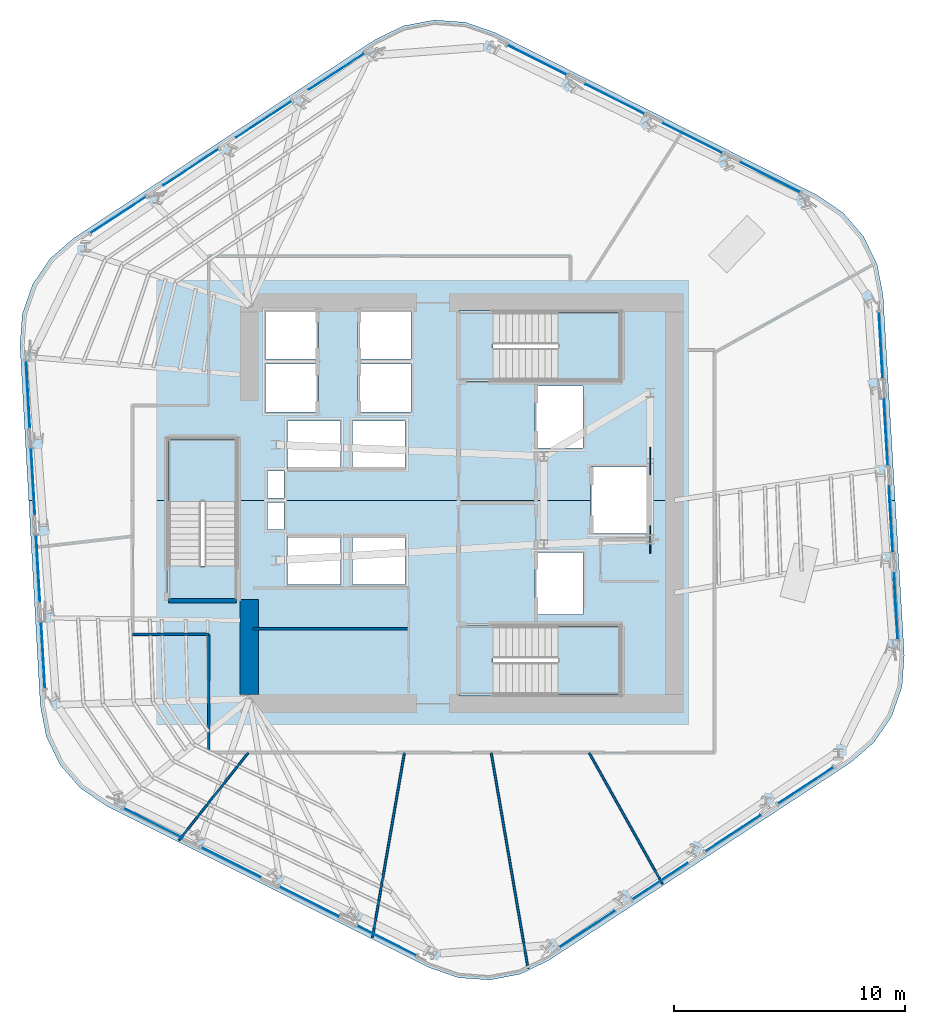
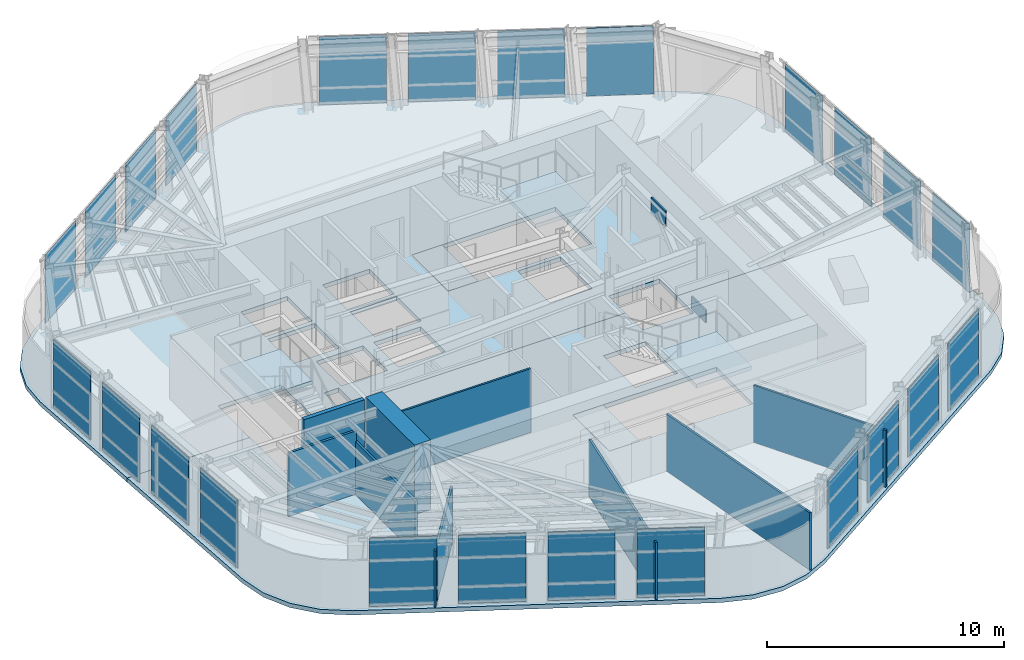
# One storey, part 7 of 15: 26 plates, 9 walls, 8 slabs, 9 elements without a shape of their own.
"""IFC4 building model written with IfcOpenShell, lengths in metres."""

from ifc_helpers import new_model, si_unit, direction, frame, frame_2d, origin, origin_2d, place, context, subcontext, project, spatial, polyline, rectangle, outline, extrude, material, layer, layer_set, type_object, element, aggregate, save


model = new_model("IFC4")

# Units and contexts
model_context = context("Model", 3, precision=1e-05, world=origin(), true_north=direction((0.0, 1.0)))
body_context = subcontext(model_context, "Body", "Model", "MODEL_VIEW")
ifc_project = project(units=[si_unit("LENGTHUNIT", "METRE"), si_unit("AREAUNIT", "SQUARE_METRE"), si_unit("VOLUMEUNIT", "CUBIC_METRE"), si_unit("PLANEANGLEUNIT", "RADIAN"), si_unit("MASSUNIT", "GRAM", prefix="KILO")], contexts=[model_context])

# Site, building, storey
site_placement = place(None, origin())
site = spatial("IfcSite", under=ifc_project, at=site_placement, CompositionType="ELEMENT")
building_placement = place(site_placement, origin())
building = spatial("IfcBuilding", under=site, at=building_placement, Name="Valkerne Bourse Tower", CompositionType="ELEMENT")
storey_placement = place(building_placement, frame((0.0, 0.0, 166.60009765625)))
storey = spatial("IfcBuildingStorey", under=building, at=storey_placement, Name="L42", CompositionType="ELEMENT", Elevation=166.60009765625)

# Curtain wall, plates
ifc_material_1 = material(Name="Aluminium AA 6063-T6", Category="aluminium")
ifc_layer_1 = layer(ifc_material_1, 0.235107421875)
ifc_layer_set_1 = layer_set([ifc_layer_1], Name="Aluminium AA 6063-T6")
curtain_wall_type = type_object("IfcCurtainWallType", Name="CW-03", PredefinedType="NOTDEFINED", material=ifc_layer_set_1)
curtain_wall_1_placement = place(storey_placement, origin())
curtain_wall_1 = element("IfcCurtainWall", 1, at=curtain_wall_1_placement, inside=storey, type_object=curtain_wall_type, Name="L42 Hexagonal Stick Curtain Wall Face 1", PredefinedType="NOTDEFINED")
ifc_material_2 = material(Name="Glass IGU Low-E Double Glazed", Category="glass")
ifc_layer_2 = layer(ifc_material_2, 0.031982421875)
ifc_layer_set_2 = layer_set([ifc_layer_2], Name="Glass IGU Low-E Double Glazed")
plate_type_1 = type_object("IfcPlateType", Name="CW-PNL-IGU-32", PredefinedType="CURTAIN_PANEL", material=ifc_layer_set_2)
plate_1_placement = place(storey_placement, frame((60.158203125, 40.970703125, 0.02978515625), z_axis=(0.0, 0.0, 1.0), x_axis=(-0.893369278637, 0.449323193244, 0.0)))
plate_1 = element("IfcPlate", 2, at=plate_1_placement, type_object=plate_type_1, Name="CW-L42-F1 Curtain Panel 00", PredefinedType="CURTAIN_PANEL", context=body_context, shape_type="SweptSolid", body=[
    extrude(rectangle(XDim=2.85107421875, YDim=0.031982421875, at=origin_2d()), origin(), (0.0, 0.0, 1.0), 3.52001953125),
])
plate_2_placement = place(storey_placement, frame((56.789306640625, 42.665283203125, 0.02978515625), z_axis=(0.0, 0.0, 1.0), x_axis=(-0.893379923198, 0.449302028514, 0.0)))
plate_2 = element("IfcPlate", 3, at=plate_2_placement, type_object=plate_type_1, Name="CW-L42-F1 Curtain Panel 01", PredefinedType="CURTAIN_PANEL", context=body_context, shape_type="SweptSolid", body=[
    extrude(rectangle(XDim=2.850830078125, YDim=0.031982421875, at=origin_2d()), origin(), (0.0, 0.0, 1.0), 3.52001953125),
])
plate_3_placement = place(storey_placement, frame((53.42041015625, 44.359619140625, 0.02978515625), z_axis=(0.0, 0.0, 1.0), x_axis=(-0.893369278637, 0.449323193244, 0.0)))
plate_3 = element("IfcPlate", 4, at=plate_3_placement, type_object=plate_type_1, Name="CW-L42-F1 Curtain Panel 02", PredefinedType="CURTAIN_PANEL", context=body_context, shape_type="SweptSolid", body=[
    extrude(rectangle(XDim=2.85107421875, YDim=0.031982421875, at=origin_2d()), origin(), (0.0, 0.0, 1.0), 3.52001953125),
])
plate_4_placement = place(storey_placement, frame((50.051513671875, 46.053955078125, 0.02978515625), z_axis=(0.0, 0.0, 1.0), x_axis=(-0.893369278637, 0.449323193244, 0.0)))
plate_4 = element("IfcPlate", 5, at=plate_4_placement, type_object=plate_type_1, Name="CW-L42-F1 Curtain Panel 03", PredefinedType="CURTAIN_PANEL", context=body_context, shape_type="SweptSolid", body=[
    extrude(rectangle(XDim=2.85107421875, YDim=0.031982421875, at=origin_2d()), origin(), (0.0, 0.0, 1.0), 3.52001953125),
])
aggregate(curtain_wall_1, [plate_1, plate_2, plate_3, plate_4])

curtain_wall_2_placement = place(storey_placement, origin())
curtain_wall_2 = element("IfcCurtainWall", 6, at=curtain_wall_2_placement, inside=storey, type_object=curtain_wall_type, Name="L42 Hexagonal Stick Curtain Wall Face 2", PredefinedType="NOTDEFINED")
plate_5_placement = place(storey_placement, frame((41.3798828125, 45.553955078125, 0.02978515625), z_axis=(0.0, 0.0, 1.0), x_axis=(-0.835800745182, -0.549032890048, 0.0)))
plate_5 = element("IfcPlate", 7, at=plate_5_placement, type_object=plate_type_1, Name="CW-L42-F2 Curtain Panel 00", PredefinedType="CURTAIN_PANEL", context=body_context, shape_type="SweptSolid", body=[
    extrude(rectangle(XDim=2.85107421875, YDim=0.031982421875, at=origin_2d()), origin(), (0.0, 0.0, 1.0), 3.52001953125),
])
plate_6_placement = place(storey_placement, frame((38.228271484375, 43.483642578125, 0.02978515625), z_axis=(0.0, 0.0, 1.0), x_axis=(-0.835800745182, -0.549032890048, 0.0)))
plate_6 = element("IfcPlate", 8, at=plate_6_placement, type_object=plate_type_1, Name="CW-L42-F2 Curtain Panel 01", PredefinedType="CURTAIN_PANEL", context=body_context, shape_type="SweptSolid", body=[
    extrude(rectangle(XDim=2.85107421875, YDim=0.031982421875, at=origin_2d()), origin(), (0.0, 0.0, 1.0), 3.52001953125),
])
plate_7_placement = place(storey_placement, frame((35.076416015625, 41.4130859375, 0.02978515625), z_axis=(0.0, 0.0, 1.0), x_axis=(-0.835820906773, -0.549002196536, 0.0)))
plate_7 = element("IfcPlate", 9, at=plate_7_placement, type_object=plate_type_1, Name="CW-L42-F2 Curtain Panel 02", PredefinedType="CURTAIN_PANEL", context=body_context, shape_type="SweptSolid", body=[
    extrude(rectangle(XDim=2.85107421875, YDim=0.031982421875, at=origin_2d()), origin(), (0.0, 0.0, 1.0), 3.52001953125),
])
plate_8_placement = place(storey_placement, frame((31.924560546875, 39.343017578125, 0.02978515625), z_axis=(0.0, 0.0, 1.0), x_axis=(-0.835800745182, -0.549032890048, 0.0)))
plate_8 = element("IfcPlate", 10, at=plate_8_placement, type_object=plate_type_1, Name="CW-L42-F2 Curtain Panel 03", PredefinedType="CURTAIN_PANEL", context=body_context, shape_type="SweptSolid", body=[
    extrude(rectangle(XDim=2.85107421875, YDim=0.031982421875, at=origin_2d()), origin(), (0.0, 0.0, 1.0), 3.52001953125),
])
aggregate(curtain_wall_2, [plate_5, plate_6, plate_7, plate_8])

curtain_wall_3_placement = place(storey_placement, origin())
curtain_wall_3 = element("IfcCurtainWall", 11, at=curtain_wall_3_placement, inside=storey, type_object=curtain_wall_type, Name="L42 Hexagonal Stick Curtain Wall Face 3", PredefinedType="NOTDEFINED")
plate_9_placement = place(storey_placement, frame((28.021728515625, 31.5830078125, 0.02978515625), z_axis=(0.0, 0.0, 1.0), x_axis=(0.057570105269, -0.998341466122, 0.0)))
plate_9 = element("IfcPlate", 12, at=plate_9_placement, type_object=plate_type_1, Name="CW-L42-F3 Curtain Panel 00", PredefinedType="CURTAIN_PANEL", context=body_context, shape_type="SweptSolid", body=[
    extrude(rectangle(XDim=2.85107421875, YDim=0.031982421875, at=origin_2d()), origin(), (0.0, 0.0, 1.0), 3.52001953125),
])
plate_10_placement = place(storey_placement, frame((28.239013671875, 27.818359375, 0.02978515625), z_axis=(0.0, 0.0, 1.0), x_axis=(0.057571629412, -0.99834137823, 0.0)))
plate_10 = element("IfcPlate", 13, at=plate_10_placement, type_object=plate_type_1, Name="CW-L42-F3 Curtain Panel 01", PredefinedType="CURTAIN_PANEL", context=body_context, shape_type="SweptSolid", body=[
    extrude(rectangle(XDim=2.85107421875, YDim=0.031982421875, at=origin_2d()), origin(), (0.0, 0.0, 1.0), 3.52001953125),
])
plate_11_placement = place(storey_placement, frame((28.4560546875, 24.0537109375, 0.02978515625), z_axis=(0.0, 0.0, 1.0), x_axis=(0.057545198752, -0.998342902063, 0.0)))
plate_11 = element("IfcPlate", 14, at=plate_11_placement, type_object=plate_type_1, Name="CW-L42-F3 Curtain Panel 02", PredefinedType="CURTAIN_PANEL", context=body_context, shape_type="SweptSolid", body=[
    extrude(rectangle(XDim=2.85107421875, YDim=0.031982421875, at=origin_2d()), origin(), (0.0, 0.0, 1.0), 3.52001953125),
])
plate_12_placement = place(storey_placement, frame((28.673095703125, 20.288818359375, 0.02978515625), z_axis=(0.0, 0.0, 1.0), x_axis=(0.057570105269, -0.998341466122, 0.0)))
plate_12 = element("IfcPlate", 15, at=plate_12_placement, type_object=plate_type_1, Name="CW-L42-F3 Curtain Panel 03", PredefinedType="CURTAIN_PANEL", context=body_context, shape_type="SweptSolid", body=[
    extrude(rectangle(XDim=2.85107421875, YDim=0.031982421875, at=origin_2d()), origin(), (0.0, 0.0, 1.0), 3.52001953125),
])
aggregate(curtain_wall_3, [plate_9, plate_10, plate_11, plate_12])

curtain_wall_4_placement = place(storey_placement, origin())
curtain_wall_4 = element("IfcCurtainWall", 16, at=curtain_wall_4_placement, inside=storey, type_object=curtain_wall_type, Name="L42 Hexagonal Stick Curtain Wall Face 4", PredefinedType="NOTDEFINED")
plate_13_placement = place(storey_placement, frame((33.441650390625, 13.029052734375, 0.02978515625), z_axis=(0.0, 0.0, 1.0), x_axis=(0.893369278637, -0.449323193244, 0.0)))
plate_13 = element("IfcPlate", 17, at=plate_13_placement, type_object=plate_type_1, Name="CW-L42-F4 Curtain Panel 00", PredefinedType="CURTAIN_PANEL", context=body_context, shape_type="SweptSolid", body=[
    extrude(rectangle(XDim=2.85107421875, YDim=0.031982421875, at=origin_2d()), origin(), (0.0, 0.0, 1.0), 3.52001953125),
])
plate_14_placement = place(storey_placement, frame((36.810791015625, 11.334716796875, 0.02978515625), z_axis=(0.0, 0.0, 1.0), x_axis=(0.893379923198, -0.449302028514, 0.0)))
plate_14 = element("IfcPlate", 18, at=plate_14_placement, type_object=plate_type_1, Name="CW-L42-F4 Curtain Panel 01", PredefinedType="CURTAIN_PANEL", context=body_context, shape_type="SweptSolid", body=[
    extrude(rectangle(XDim=2.850830078125, YDim=0.031982421875, at=origin_2d()), origin(), (0.0, 0.0, 1.0), 3.52001953125),
])
plate_15_placement = place(storey_placement, frame((40.179443359375, 9.640380859375, 0.02978515625), z_axis=(0.0, 0.0, 1.0), x_axis=(0.893369278637, -0.449323193244, 0.0)))
plate_15 = element("IfcPlate", 19, at=plate_15_placement, type_object=plate_type_1, Name="CW-L42-F4 Curtain Panel 02", PredefinedType="CURTAIN_PANEL", context=body_context, shape_type="SweptSolid", body=[
    extrude(rectangle(XDim=2.85107421875, YDim=0.031982421875, at=origin_2d()), origin(), (0.0, 0.0, 1.0), 3.52001953125),
])
plate_16_placement = place(storey_placement, frame((43.548583984375, 7.946044921875, 0.02978515625), z_axis=(0.0, 0.0, 1.0), x_axis=(0.893369278637, -0.449323193244, 0.0)))
plate_16 = element("IfcPlate", 20, at=plate_16_placement, type_object=plate_type_1, Name="CW-L42-F4 Curtain Panel 03", PredefinedType="CURTAIN_PANEL", context=body_context, shape_type="SweptSolid", body=[
    extrude(rectangle(XDim=2.85107421875, YDim=0.031982421875, at=origin_2d()), origin(), (0.0, 0.0, 1.0), 3.52001953125),
])
aggregate(curtain_wall_4, [plate_13, plate_14, plate_15, plate_16])

curtain_wall_5_placement = place(storey_placement, origin())
curtain_wall_5 = element("IfcCurtainWall", 21, at=curtain_wall_5_placement, inside=storey, type_object=curtain_wall_type, Name="L42 Hexagonal Stick Curtain Wall Face 5", PredefinedType="NOTDEFINED")
plate_17_placement = place(storey_placement, frame((52.219970703125, 8.446044921875, 0.02978515625), z_axis=(0.0, 0.0, 1.0), x_axis=(0.835800745182, 0.549032890048, 0.0)))
plate_17 = element("IfcPlate", 22, at=plate_17_placement, type_object=plate_type_1, Name="CW-L42-F5 Curtain Panel 00", PredefinedType="CURTAIN_PANEL", context=body_context, shape_type="SweptSolid", body=[
    extrude(rectangle(XDim=2.85107421875, YDim=0.031982421875, at=origin_2d()), origin(), (0.0, 0.0, 1.0), 3.52001953125),
])
plate_18_placement = place(storey_placement, frame((55.371826171875, 10.516357421875, 0.02978515625), z_axis=(0.0, 0.0, 1.0), x_axis=(0.835800745182, 0.549032890048, 0.0)))
plate_18 = element("IfcPlate", 23, at=plate_18_placement, type_object=plate_type_1, Name="CW-L42-F5 Curtain Panel 01", PredefinedType="CURTAIN_PANEL", context=body_context, shape_type="SweptSolid", body=[
    extrude(rectangle(XDim=2.85107421875, YDim=0.031982421875, at=origin_2d()), origin(), (0.0, 0.0, 1.0), 3.52001953125),
])
plate_19_placement = place(storey_placement, frame((58.523681640625, 12.586669921875, 0.02978515625), z_axis=(0.0, 0.0, 1.0), x_axis=(0.835820906773, 0.549002196536, 0.0)))
plate_19 = element("IfcPlate", 24, at=plate_19_placement, type_object=plate_type_1, Name="CW-L42-F5 Curtain Panel 02", PredefinedType="CURTAIN_PANEL", context=body_context, shape_type="SweptSolid", body=[
    extrude(rectangle(XDim=2.85107421875, YDim=0.031982421875, at=origin_2d()), origin(), (0.0, 0.0, 1.0), 3.52001953125),
])
plate_20_placement = place(storey_placement, frame((61.67529296875, 14.656982421875, 0.02978515625), z_axis=(0.0, 0.0, 1.0), x_axis=(0.835800745182, 0.549032890048, 0.0)))
plate_20 = element("IfcPlate", 25, at=plate_20_placement, type_object=plate_type_1, Name="CW-L42-F5 Curtain Panel 03", PredefinedType="CURTAIN_PANEL", context=body_context, shape_type="SweptSolid", body=[
    extrude(rectangle(XDim=2.85107421875, YDim=0.031982421875, at=origin_2d()), origin(), (0.0, 0.0, 1.0), 3.52001953125),
])
aggregate(curtain_wall_5, [plate_17, plate_18, plate_19, plate_20])

curtain_wall_6_placement = place(storey_placement, origin())
curtain_wall_6 = element("IfcCurtainWall", 26, at=curtain_wall_6_placement, inside=storey, type_object=curtain_wall_type, Name="L42 Hexagonal Stick Curtain Wall Face 6", PredefinedType="NOTDEFINED")
plate_21_placement = place(storey_placement, frame((65.578125, 22.4169921875, 0.02978515625), z_axis=(0.0, 0.0, 1.0), x_axis=(-0.057570105269, 0.998341466122, 0.0)))
plate_21 = element("IfcPlate", 27, at=plate_21_placement, type_object=plate_type_1, Name="CW-L42-F6 Curtain Panel 00", PredefinedType="CURTAIN_PANEL", context=body_context, shape_type="SweptSolid", body=[
    extrude(rectangle(XDim=2.85107421875, YDim=0.031982421875, at=origin_2d()), origin(), (0.0, 0.0, 1.0), 3.52001953125),
])
plate_22_placement = place(storey_placement, frame((65.361083984375, 26.181640625, 0.02978515625), z_axis=(0.0, 0.0, 1.0), x_axis=(-0.057571629412, 0.99834137823, 0.0)))
plate_22 = element("IfcPlate", 28, at=plate_22_placement, type_object=plate_type_1, Name="CW-L42-F6 Curtain Panel 01", PredefinedType="CURTAIN_PANEL", context=body_context, shape_type="SweptSolid", body=[
    extrude(rectangle(XDim=2.85107421875, YDim=0.031982421875, at=origin_2d()), origin(), (0.0, 0.0, 1.0), 3.52001953125),
])
plate_23_placement = place(storey_placement, frame((65.14404296875, 29.9462890625, 0.02978515625), z_axis=(0.0, 0.0, 1.0), x_axis=(-0.057545198752, 0.998342902063, 0.0)))
plate_23 = element("IfcPlate", 29, at=plate_23_placement, type_object=plate_type_1, Name="CW-L42-F6 Curtain Panel 02", PredefinedType="CURTAIN_PANEL", context=body_context, shape_type="SweptSolid", body=[
    extrude(rectangle(XDim=2.85107421875, YDim=0.031982421875, at=origin_2d()), origin(), (0.0, 0.0, 1.0), 3.52001953125),
])
plate_24_placement = place(storey_placement, frame((64.927001953125, 33.711181640625, 0.02978515625), z_axis=(0.0, 0.0, 1.0), x_axis=(-0.057570105269, 0.998341466122, 0.0)))
plate_24 = element("IfcPlate", 30, at=plate_24_placement, type_object=plate_type_1, Name="CW-L42-F6 Curtain Panel 03", PredefinedType="CURTAIN_PANEL", context=body_context, shape_type="SweptSolid", body=[
    extrude(rectangle(XDim=2.85107421875, YDim=0.031982421875, at=origin_2d()), origin(), (0.0, 0.0, 1.0), 3.52001953125),
])
aggregate(curtain_wall_6, [plate_21, plate_22, plate_23, plate_24])

# Plates
ifc_material_3 = material(Name="Steel ASTM A572 Grade 50", Category="steel")
ifc_layer_3 = layer(ifc_material_3, 0.06005859375)
ifc_layer_set_3 = layer_set([ifc_layer_3], Name="Steel ASTM A572 Grade 50")
plate_type_2 = type_object("IfcPlateType", Name="PLT-GUS-60", PredefinedType="SHEET", material=ifc_layer_set_3)
for number, where, z_axis, x_axis, name in (
    (31, (54.949951171875, 25.300048828125, -0.18017578125), (0.0, 0.0, 1.0), (0.0, 1.0, 0.0), "L42 Brace Node Gusset Plate PLT-GUS-END-L42-400"),
    (32, (54.949951171875, 28.699951171875, 2.8740234375), (0.0, 0.0, 1.0), (0.0, 1.0, 0.0), "L42 Brace Node Gusset Plate PLT-GUS-END-L42-401"),
):
    element("IfcPlate", number, at=place(storey_placement, frame(where, z_axis=z_axis, x_axis=x_axis)), inside=storey, type_object=plate_type_2, Name=name, PredefinedType="SHEET", context=body_context, shape_type="SweptSolid", body=[
        extrude(rectangle(XDim=1.199951171875, YDim=0.06005859375, at=origin_2d()), origin(), (0.0, 0.0, 1.0), 0.800048828125),
    ])

# Slabs
ifc_material_4 = material(Name="Concrete C40/50", Category="concrete")
ifc_layer_4 = layer(ifc_material_4, 0.25)
ifc_layer_set_4 = layer_set([ifc_layer_4], Name="Concrete C40/50")
slab_type_1 = type_object("IfcSlabType", Name="SLB-RMP-LND-250", PredefinedType="LANDING", material=ifc_layer_set_4)
slab_1_placement = place(storey_placement, frame((0.0, 0.0, -0.22021484375)))
element("IfcSlab", 33, at=slab_1_placement, inside=storey, type_object=slab_type_1, Name="L42 ST-1 Floor Landing Slab", PredefinedType="LANDING", context=body_context, shape_type="SweptSolid", body=[
    extrude(outline(polyline([(46.669921875, 18.5400390625), (48.14990234375, 18.5400390625), (48.14990234375, 21.610107421875), (46.669921875, 21.610107421875), (46.669921875, 18.5400390625)])), origin(), (0.0, 0.0, 1.0), 0.22021484375),
])
slab_2_placement = place(storey_placement, frame((0.0, 0.0, -0.22021484375)))
element("IfcSlab", 34, at=slab_2_placement, inside=storey, type_object=slab_type_1, Name="L42 ST-2 Floor Landing Slab", PredefinedType="LANDING", context=body_context, shape_type="SweptSolid", body=[
    extrude(outline(polyline([(46.669921875, 32.139892578125), (48.14990234375, 32.139892578125), (48.14990234375, 35.2099609375), (46.669921875, 35.2099609375), (46.669921875, 32.139892578125)])), origin(), (0.0, 0.0, 1.0), 0.22021484375),
])
slab_3_placement = place(storey_placement, frame((0.0, 0.0, -0.22021484375)))
element("IfcSlab", 35, at=slab_3_placement, inside=storey, type_object=slab_type_1, Name="L42 ST-3 Floor Landing Slab", PredefinedType="LANDING", context=body_context, shape_type="SweptSolid", body=[
    extrude(outline(polyline([(37.110107421875, 22.669921875), (37.110107421875, 24.14990234375), (34.0400390625, 24.14990234375), (34.0400390625, 22.669921875), (37.110107421875, 22.669921875)])), origin(), (0.0, 0.0, 1.0), 0.22021484375),
])

# Stair, slab
stair_type = type_object("IfcStairType", Name="ST-CORE-1400", PredefinedType="HALF_TURN_STAIR", material=ifc_material_4)
stair_1_placement = place(storey_placement, origin())
stair_1 = element("IfcStair", 36, at=stair_1_placement, inside=storey, type_object=stair_type, Name="L42 ST-1", PredefinedType="HALF_TURN_STAIR")
ifc_layer_5 = layer(ifc_material_4, 0.179931640625)
ifc_layer_set_5 = layer_set([ifc_layer_5], Name="Concrete C40/50")
slab_type_2 = type_object("IfcSlabType", Name="SLB-ST-LND-180", PredefinedType="LANDING", material=ifc_layer_set_5)
slab_4_placement = place(storey_placement, frame((0.0, 0.0, 1.699951171875)))
slab_4 = element("IfcSlab", 37, at=slab_4_placement, type_object=slab_type_2, Name="ST-1 landing 1", PredefinedType="LANDING", context=body_context, shape_type="SweptSolid", body=[
    extrude(outline(polyline([(50.949951171875, 18.60009765625), (53.64990234375, 18.60009765625), (53.64990234375, 21.550048828125), (50.949951171875, 21.550048828125), (50.949951171875, 18.60009765625)])), origin(), (0.0, 0.0, 1.0), 0.199951171875),
])
aggregate(stair_1, [slab_4])

stair_2_placement = place(storey_placement, origin())
stair_2 = element("IfcStair", 38, at=stair_2_placement, inside=storey, type_object=stair_type, Name="L42 ST-2", PredefinedType="HALF_TURN_STAIR")
slab_5_placement = place(storey_placement, frame((0.0, 0.0, 1.699951171875)))
slab_5 = element("IfcSlab", 39, at=slab_5_placement, type_object=slab_type_2, Name="ST-2 landing 1", PredefinedType="LANDING", context=body_context, shape_type="SweptSolid", body=[
    extrude(outline(polyline([(50.949951171875, 32.199951171875), (53.64990234375, 32.199951171875), (53.64990234375, 35.14990234375), (50.949951171875, 35.14990234375), (50.949951171875, 32.199951171875)])), origin(), (0.0, 0.0, 1.0), 0.199951171875),
])
aggregate(stair_2, [slab_5])

stair_3_placement = place(storey_placement, origin())
stair_3 = element("IfcStair", 40, at=stair_3_placement, inside=storey, type_object=stair_type, Name="L42 ST-3", PredefinedType="HALF_TURN_STAIR")
slab_6_placement = place(storey_placement, frame((0.0, 0.0, 1.699951171875)))
slab_6 = element("IfcSlab", 41, at=slab_6_placement, type_object=slab_type_2, Name="ST-3 landing 1", PredefinedType="LANDING", context=body_context, shape_type="SweptSolid", body=[
    extrude(outline(polyline([(37.050048828125, 26.949951171875), (37.050048828125, 29.64990234375), (34.10009765625, 29.64990234375), (34.10009765625, 26.949951171875), (37.050048828125, 26.949951171875)])), origin(), (0.0, 0.0, 1.0), 0.199951171875),
])
aggregate(stair_3, [slab_6])

# Slabs
ifc_layer_6 = layer(ifc_material_4, 0.219970703125)
ifc_layer_set_6 = layer_set([ifc_layer_6], Name="Concrete C40/50")
slab_type_3 = type_object("IfcSlabType", Name="SLB-TOW-220", PredefinedType="FLOOR", material=ifc_layer_set_6)
slab_7_placement = place(storey_placement, frame((0.0, 0.0, -0.22021484375)))
element("IfcSlab", 42, at=slab_7_placement, inside=storey, type_object=slab_type_3, Name="L42 Hexagonal Composite Floor Slab S", PredefinedType="FLOOR", context=body_context, shape_type="SweptSolid", body=[
    extrude(outline(polyline([(65.845458984375, 18.927734375), (65.39892578125, 17.645751953125), (64.635986328125, 16.52294921875), (63.6083984375, 15.635986328125), (50.552734375, 7.083984375), (49.33056640625, 6.493408203125), (47.9970703125, 6.239013671875), (46.643310546875, 6.33837890625), (45.361328125, 6.784912109375), (31.4091796875, 13.779296875), (30.286376953125, 14.54248046875), (29.3994140625, 15.570068359375), (28.80859375, 16.7919921875), (28.55419921875, 18.12548828125), (28.05419921875, 27.0), (34.034912109375, 27.0), (34.034912109375, 22.6650390625), (37.114990234375, 22.6650390625), (37.114990234375, 27.0), (52.360107421875, 27.0), (52.360107421875, 25.56005859375), (54.840087890625, 25.56005859375), (54.840087890625, 27.0), (65.548583984375, 27.0), (65.94482421875, 20.281494140625), (65.845458984375, 18.927734375)]), holes=[polyline([(41.5400390625, 25.43994140625), (39.260009765625, 25.43994140625), (39.260009765625, 23.360107421875), (41.5400390625, 23.360107421875), (41.5400390625, 25.43994140625)]), polyline([(44.340087890625, 25.43994140625), (42.06005859375, 25.43994140625), (42.06005859375, 23.360107421875), (44.340087890625, 23.360107421875), (44.340087890625, 25.43994140625)]), polyline([(39.10009765625, 26.89990234375), (38.3798828125, 26.89990234375), (38.3798828125, 25.72998046875), (39.10009765625, 25.72998046875), (39.10009765625, 26.89990234375)]), polyline([(53.675048828125, 21.614990234375), (46.6650390625, 21.614990234375), (46.6650390625, 18.534912109375), (53.675048828125, 18.534912109375), (53.675048828125, 21.614990234375)]), polyline([(52.0400390625, 24.739990234375), (49.9599609375, 24.739990234375), (49.9599609375, 22.06005859375), (52.0400390625, 22.06005859375), (52.0400390625, 24.739990234375)])]), origin(), (0.0, 0.0, 1.0), 0.22021484375),
])
slab_8_placement = place(storey_placement, frame((0.0, 0.0, -0.22021484375)))
element("IfcSlab", 43, at=slab_8_placement, inside=storey, type_object=slab_type_3, Name="L42 Hexagonal Composite Floor Slab N", PredefinedType="FLOOR", context=body_context, shape_type="SweptSolid", body=[
    extrude(outline(polyline([(27.676025390625, 33.7080078125), (27.775390625, 35.06201171875), (28.2216796875, 36.34375), (28.98486328125, 37.466552734375), (30.012451171875, 38.353515625), (43.0458984375, 46.939208984375), (44.268310546875, 47.530029296875), (45.6015625, 47.7841796875), (46.955322265625, 47.684814453125), (48.2373046875, 47.238525390625), (62.17138671875, 40.207763671875), (63.294189453125, 39.44482421875), (64.18115234375, 38.417236328125), (64.77197265625, 37.195068359375), (65.0263671875, 35.861572265625), (65.548583984375, 27.0), (54.840087890625, 27.0), (54.840087890625, 28.43994140625), (52.360107421875, 28.43994140625), (52.360107421875, 27.0), (37.114990234375, 27.0), (37.114990234375, 29.675048828125), (34.034912109375, 29.675048828125), (34.034912109375, 27.0), (28.05419921875, 27.0), (27.676025390625, 33.7080078125)]), holes=[polyline([(39.10009765625, 28.27001953125), (38.3798828125, 28.27001953125), (38.3798828125, 27.10009765625), (39.10009765625, 27.10009765625), (39.10009765625, 28.27001953125)]), polyline([(41.5400390625, 30.43994140625), (39.260009765625, 30.43994140625), (39.260009765625, 28.360107421875), (41.5400390625, 28.360107421875), (41.5400390625, 30.43994140625)]), polyline([(40.590087890625, 32.889892578125), (38.31005859375, 32.889892578125), (38.31005859375, 30.81005859375), (40.590087890625, 30.81005859375), (40.590087890625, 32.889892578125)]), polyline([(40.590087890625, 35.18994140625), (38.31005859375, 35.18994140625), (38.31005859375, 33.110107421875), (40.590087890625, 33.110107421875), (40.590087890625, 35.18994140625)]), polyline([(44.340087890625, 30.43994140625), (42.06005859375, 30.43994140625), (42.06005859375, 28.360107421875), (44.340087890625, 28.360107421875), (44.340087890625, 30.43994140625)]), polyline([(52.0400390625, 31.93994140625), (49.9599609375, 31.93994140625), (49.9599609375, 29.260009765625), (52.0400390625, 29.260009765625), (52.0400390625, 31.93994140625)]), polyline([(44.590087890625, 32.889892578125), (42.31005859375, 32.889892578125), (42.31005859375, 30.81005859375), (44.590087890625, 30.81005859375), (44.590087890625, 32.889892578125)]), polyline([(53.675048828125, 35.215087890625), (46.6650390625, 35.215087890625), (46.6650390625, 32.135009765625), (53.675048828125, 32.135009765625), (53.675048828125, 35.215087890625)]), polyline([(44.590087890625, 35.18994140625), (42.31005859375, 35.18994140625), (42.31005859375, 33.110107421875), (44.590087890625, 33.110107421875), (44.590087890625, 35.18994140625)])]), origin(), (0.0, 0.0, 1.0), 0.22021484375),
])

# Walls
ifc_material_5 = material(Name="Concrete C55/67", Category="concrete")
ifc_layer_7 = layer(ifc_material_5, 0.800048828125)
ifc_layer_set_7 = layer_set([ifc_layer_7], Name="Concrete C55/67")
wall_type_1 = type_object("IfcWallType", Name="W-CORE-800", PredefinedType="SHEAR", material=ifc_layer_set_7)
wall_1_placement = place(storey_placement, frame((37.60009765625, 18.60009765625, 0.0), z_axis=(0.0, 0.0, 1.0), x_axis=(0.0, 1.0, 0.0)))
element("IfcWall", 44, at=wall_1_placement, inside=storey, type_object=wall_type_1, Name="L42 Core Shear Wall WEST-S", PredefinedType="SHEAR", context=body_context, shape_type="SweptSolid", body=[
    extrude(rectangle(XDim=4.099853515625, YDim=0.800048828125, at=frame_2d((2.0498046875, 0.0))), origin(), (0.0, 0.0, 1.0), 3.579833984375),
])
ifc_material_6 = material(Name="Gypsum Board Steel-Stud Partition", Category="steel")
ifc_layer_8 = layer(ifc_material_6, 0.117919921875)
ifc_layer_set_8 = layer_set([ifc_layer_8], Name="Gypsum Board Steel-Stud Partition")
wall_type_2 = type_object("IfcWallType", Name="W-CORR-140", PredefinedType="PARTITIONING", material=ifc_layer_set_8)
wall_2_placement = place(storey_placement, frame((35.85009765625, 16.080078125, 0.0), z_axis=(0.0, 0.0, 1.0), x_axis=(0.0, 1.0, 0.0)))
element("IfcWall", 45, at=wall_2_placement, inside=storey, type_object=wall_type_2, Name="L42 Corridor Enclosure Wall", PredefinedType="PARTITIONING", context=body_context, shape_type="SweptSolid", body=[
    extrude(rectangle(XDim=5.119873046875, YDim=0.117919921875, at=frame_2d((2.56005859375, 0.0))), origin(), (0.0, 0.0, 1.0), 2.71142578125),
])
wall_3_placement = place(storey_placement, frame((35.85009765625, 21.199951171875, 0.0), z_axis=(0.0, 0.0, 1.0), x_axis=(-1.0, 0.0, 0.0)))
element("IfcWall", 46, at=wall_3_placement, inside=storey, type_object=wall_type_2, Name="L42 Corridor Enclosure Wall", PredefinedType="PARTITIONING", context=body_context, shape_type="SweptSolid", body=[
    extrude(rectangle(XDim=3.300048828125, YDim=0.117919921875, at=frame_2d((1.64990234375, 0.0))), origin(), (0.0, 0.0, 1.0), 3.260009765625),
])
ifc_layer_9 = layer(ifc_material_6, 0.092041015625)
ifc_layer_set_9 = layer_set([ifc_layer_9], Name="Gypsum Board Steel-Stud Partition")
wall_type_3 = type_object("IfcWallType", Name="W-PART-115", PredefinedType="PARTITIONING", material=ifc_layer_set_9)
wall_4_placement = place(storey_placement, frame((37.75, 21.43994140625, 0.0), z_axis=(0.0, 0.0, 1.0), x_axis=(1.0, 0.0, 0.0)))
element("IfcWall", 47, at=wall_4_placement, inside=storey, type_object=wall_type_3, Name="L42 LV7 Low-Bank Sub-Divider", PredefinedType="PARTITIONING", context=body_context, shape_type="SweptSolid", body=[
    extrude(rectangle(XDim=6.75, YDim=0.092041015625, at=frame_2d((3.375, 0.0))), origin(), (0.0, 0.0, 1.0), 3.27978515625),
])
wall_5_placement = place(storey_placement, frame((44.31298828125, 16.074951171875, 0.0), z_axis=(0.0, 0.0, 1.0), x_axis=(-0.170213272282, -0.985407246746, 0.0)))
element("IfcWall", 48, at=wall_5_placement, inside=storey, type_object=wall_type_3, Name="L42 Suite Partition P01", PredefinedType="PARTITIONING", context=body_context, shape_type="SweptSolid", body=[
    extrude(rectangle(XDim=8.112548828125, YDim=0.092041015625, at=frame_2d((4.05615234375, 0.0))), origin(), (0.0, 0.0, 1.0), 2.9423828125),
])
wall_6_placement = place(storey_placement, frame((48.0673828125, 16.074951171875, 0.0), z_axis=(0.0, 0.0, 1.0), x_axis=(0.168486924408, -0.985703888753, 0.0)))
element("IfcWall", 49, at=wall_6_placement, inside=storey, type_object=wall_type_3, Name="L42 Suite Partition P02", PredefinedType="PARTITIONING", context=body_context, shape_type="SweptSolid", body=[
    extrude(rectangle(XDim=9.47802734375, YDim=0.092041015625, at=frame_2d((4.739013671875, 0.0))), origin(), (0.0, 0.0, 1.0), 2.9423828125),
])
wall_7_placement = place(storey_placement, frame((52.305908203125, 16.074951171875, 0.0), z_axis=(0.0, 0.0, 1.0), x_axis=(0.487836495413, -0.872935022635, 0.0)))
element("IfcWall", 50, at=wall_7_placement, inside=storey, type_object=wall_type_3, Name="L42 Suite Partition P03", PredefinedType="PARTITIONING", context=body_context, shape_type="SweptSolid", body=[
    extrude(rectangle(XDim=6.50634765625, YDim=0.092041015625, at=frame_2d((3.253173828125, 0.0))), origin(), (0.0, 0.0, 1.0), 2.9423828125),
])
wall_8_placement = place(storey_placement, frame((37.555419921875, 16.074951171875, 0.0), z_axis=(0.0, 0.0, 1.0), x_axis=(-0.620550398548, -0.784166565764, 0.0)))
element("IfcWall", 51, at=wall_8_placement, inside=storey, type_object=wall_type_3, Name="L42 Suite Partition P07", PredefinedType="PARTITIONING", context=body_context, shape_type="SweptSolid", body=[
    extrude(rectangle(XDim=4.837646484375, YDim=0.092041015625, at=frame_2d((2.4189453125, 0.0))), origin(), (0.0, 0.0, 1.0), 2.87646484375),
])
ifc_layer_10 = layer(ifc_material_4, 0.199951171875)
ifc_layer_set_10 = layer_set([ifc_layer_10], Name="Concrete C40/50")
wall_type_4 = type_object("IfcWallType", Name="W-SHF-200", PredefinedType="SHEAR", material=ifc_layer_set_10)
wall_9_placement = place(storey_placement, frame((34.10009765625, 22.64990234375, 0.0), z_axis=(0.0, 0.0, 1.0), x_axis=(1.0, 0.0, 0.0)))
element("IfcWall", 52, at=wall_9_placement, inside=storey, type_object=wall_type_4, Name="L42 Exit Stair ST-3 Structural Shaft Wall South", PredefinedType="SHEAR", context=body_context, shape_type="SweptSolid", body=[
    extrude(rectangle(XDim=2.949951171875, YDim=0.199951171875, at=frame_2d((1.47509765625, 0.0))), origin(), (0.0, 0.0, 1.0), 3.579833984375),
])

save(model, "model.ifc")
